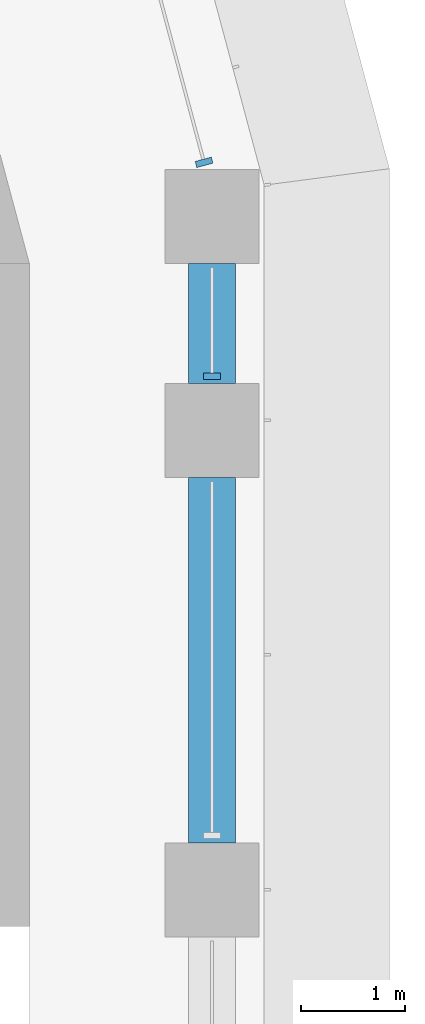
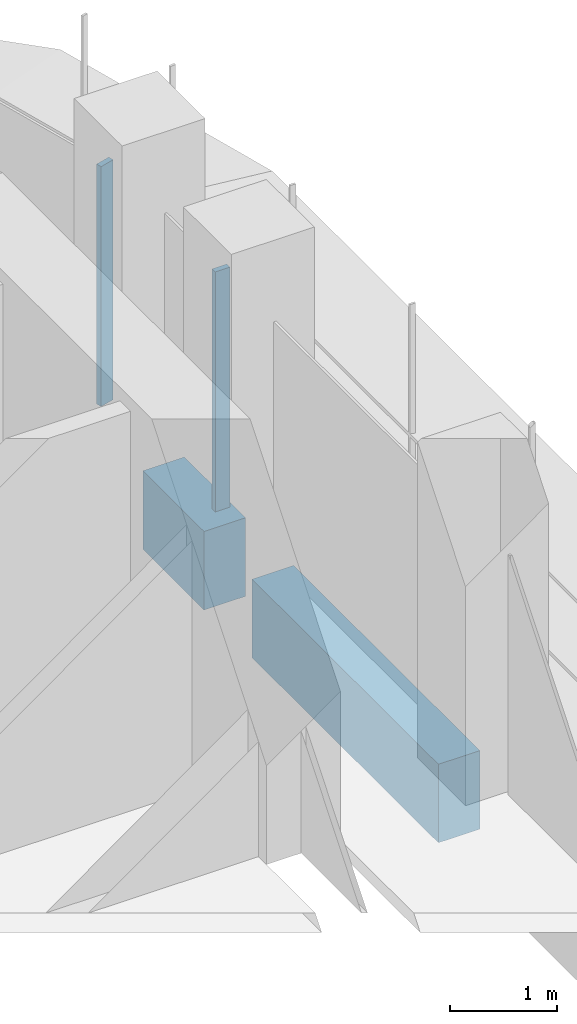
# One storey, part 9 of 22: 2 beams, 2 members, 2 elements without a shape of their own.
"""IFC4 building model written with IfcOpenShell, lengths in metres."""

from ifc_helpers import new_model, si_unit, direction, frame, origin, origin_2d, place, context, subcontext, project, spatial, polyline, rectangle, outline, extrude, source, transform, mapped, material, material_profile, profile_set, type_object, element, aggregate, save


model = new_model("IFC4")

# Units and contexts
model_context = context("Model", 3, precision=1e-05, world=origin(), true_north=direction((0.0, 1.0)))
body_context = subcontext(model_context, "Body", "Model", "MODEL_VIEW")
ifc_project = project(units=[si_unit("LENGTHUNIT", "METRE"), si_unit("AREAUNIT", "SQUARE_METRE"), si_unit("VOLUMEUNIT", "CUBIC_METRE"), si_unit("PLANEANGLEUNIT", "RADIAN"), si_unit("MASSUNIT", "GRAM", prefix="KILO")], contexts=[model_context])

# Site, building, storey
site_placement = place(None, origin())
site = spatial("IfcSite", under=ifc_project, at=site_placement, CompositionType="ELEMENT")
building_placement = place(site_placement, origin())
building = spatial("IfcBuilding", under=site, at=building_placement, Name="Zarbagh Exchange Tower", CompositionType="ELEMENT")
storey_placement = place(building_placement, frame((0.0, 0.0, 101.800048828125)))
storey = spatial("IfcBuildingStorey", under=building, at=storey_placement, Name="L23", CompositionType="ELEMENT", Elevation=101.800048828125)

# Beams
ifc_material_1 = material(Name="Concrete C60/75", Category="concrete")
ifc_material_profile = material_profile(ifc_material_1, rectangle(XDim=0.449951171875, YDim=0.89990234375, at=origin_2d()), Name="RC spandrel beam 450 x 900 C60/75")
ifc_profile_set = profile_set([ifc_material_profile], Name="Concrete C60/75")
beam_type = type_object("IfcBeamType", Name="RC spandrel beam 450 x 900 C60/75", PredefinedType="SPANDREL", material=ifc_profile_set)
beam_1_placement = place(storey_placement, frame((6.25, 26.25, -0.60009765625), z_axis=(0.0, -1.0, 0.0), x_axis=(1.0, 0.0, 0.0)))
element("IfcBeam", 1, at=beam_1_placement, inside=storey, type_object=beam_type, Name="RC spandrel beam", PredefinedType="SPANDREL", context=body_context, shape_type="SweptSolid", body=[
    extrude(rectangle(XDim=0.449951171875, YDim=0.89990234375, at=origin_2d()), origin(), (0.0, 0.0, 1.0), 1.14990234375),
])
beam_2_placement = place(storey_placement, frame((6.25, 24.199951171875, -0.60009765625), z_axis=(0.0, -1.0, 0.0), x_axis=(1.0, 0.0, 0.0)))
element("IfcBeam", 2, at=beam_2_placement, inside=storey, type_object=beam_type, Name="RC spandrel beam", PredefinedType="SPANDREL", context=body_context, shape_type="SweptSolid", body=[
    extrude(rectangle(XDim=0.449951171875, YDim=0.89990234375, at=origin_2d()), origin(), (0.0, 0.0, 1.0), 3.5),
])

# Curtain wall, member
ifc_material_2 = material(Name="Anodised aluminium frame and glazing", Category="aluminium")
curtain_wall_type = type_object("IfcCurtainWallType", Name="CWA Ribbon glazing, lower zones", PredefinedType="NOTDEFINED", material=ifc_material_2)
curtain_wall_1_placement = place(storey_placement, origin())
curtain_wall_1 = element("IfcCurtainWall", 3, at=curtain_wall_1_placement, inside=storey, type_object=curtain_wall_type, Name="CWA49 curtain wall", PredefinedType="NOTDEFINED")
ifc_material_3 = material(Name="Anodised aluminium frame", Category="aluminium")
member_type = type_object("IfcMemberType", Name="MUA Mullion, anodised aluminium frame", PredefinedType="MULLION", material=ifc_material_3)
shared_shape = source(origin(), body_context, "Body", "SweptSolid", [
    extrude(outline(polyline([(0.0, -0.080078125), (0.06005859375, -0.080078125), (0.06005859375, 0.080078125), (0.0, 0.080078125), (0.0, -0.080078125)])), origin(), (0.0, 0.0, 1.0), 2.75),
])
placement = place(storey_placement, origin())
member_1 = element("IfcMember", 4, at=placement, type_object=member_type, Name="CWA49 mullion 4.1", PredefinedType="MULLION", context=body_context, shape_type="MappedRepresentation", body=[
    mapped(shared_shape, transform((6.25, 25.14013671875, 0.0), x_axis=(0.0, 1.0, 0.0), y_axis=(-1.0, 0.0, 0.0), z_axis=(0.0, 0.0, 1.0))),
])
aggregate(curtain_wall_1, [member_1])

curtain_wall_2_placement = place(storey_placement, origin())
curtain_wall_2 = element("IfcCurtainWall", 5, at=curtain_wall_2_placement, inside=storey, type_object=curtain_wall_type, Name="CWA50 curtain wall", PredefinedType="NOTDEFINED")
member_2 = element("IfcMember", 6, at=placement, type_object=member_type, Name="CWA50 mullion 1.1", PredefinedType="MULLION", context=body_context, shape_type="MappedRepresentation", body=[
    mapped(shared_shape, transform((6.181396484375, 27.18994140625, 0.0), x_axis=(-0.258824779902, 0.965924289636, 0.0), y_axis=(-0.965924289636, -0.258824779902, 0.0), z_axis=(0.0, 0.0, 1.0))),
])
aggregate(curtain_wall_2, [member_2])

save(model, "model.ifc")
